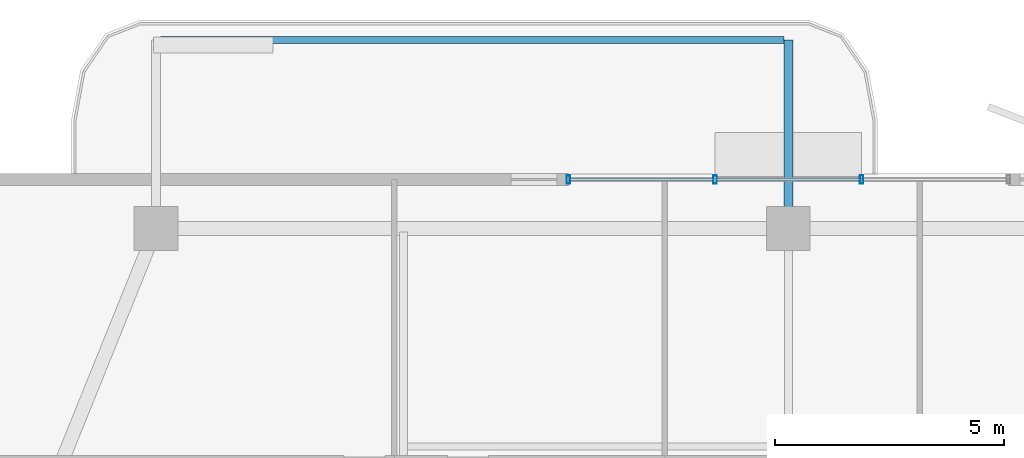
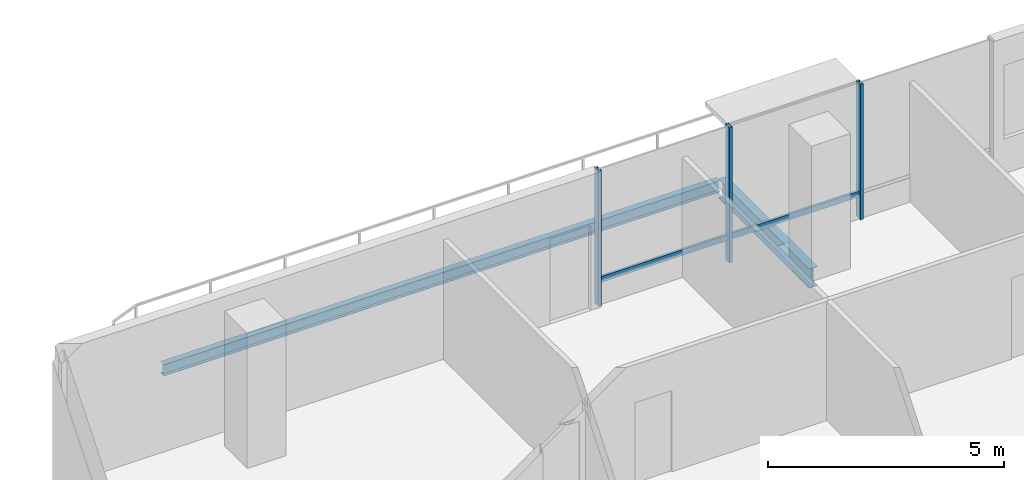
# One storey, part 13 of 25: 5 members, 2 beams, 1 element without a shape of its own.
"""IFC4 building model written with IfcOpenShell, lengths in metres."""

from ifc_helpers import new_model, si_unit, direction, frame, origin, origin_2d, place, context, subcontext, project, spatial, hollow_rectangle, i_section, extrude, material, layer, layer_set, material_profile, profile_set, type_object, element, aggregate, save


model = new_model("IFC4")

# Units and contexts
model_context = context("Model", 3, precision=1e-05, world=origin(), true_north=direction((0.0, 1.0)))
body_context = subcontext(model_context, "Body", "Model", "MODEL_VIEW")
ifc_project = project(units=[si_unit("LENGTHUNIT", "METRE"), si_unit("AREAUNIT", "SQUARE_METRE"), si_unit("VOLUMEUNIT", "CUBIC_METRE"), si_unit("PLANEANGLEUNIT", "RADIAN"), si_unit("MASSUNIT", "GRAM", prefix="KILO")], contexts=[model_context])

# Site, building, storey
site_placement = place(None, origin())
site = spatial("IfcSite", under=ifc_project, at=site_placement, CompositionType="ELEMENT")
building_placement = place(site_placement, origin())
building = spatial("IfcBuilding", under=site, at=building_placement, Name="Belovzor Exchange Tower", CompositionType="ELEMENT")
storey_placement = place(building_placement, frame((0.0, 0.0, 269.10009765625)))
storey = spatial("IfcBuildingStorey", under=building, at=storey_placement, Name="L67", CompositionType="ELEMENT", Elevation=269.10009765625)

# Beams
ifc_material_1 = material(Name="Steel S355", Category="steel")
ifc_material_profile_1 = material_profile(ifc_material_1, i_section(OverallWidth=0.199951171875, OverallDepth=0.5, WebThickness=0.01025390625, FlangeThickness=0.01611328125, at=origin_2d()))
ifc_profile_set_1 = profile_set([ifc_material_profile_1], Name="Steel S355")
beam_type_1 = type_object("IfcBeamType", Name="Planted Balcony Cantilever Beam IPE 500", PredefinedType="BEAM", material=ifc_profile_set_1)
beam_1_placement = place(storey_placement, frame((28.800048828125, 52.760986328125, -0.5), z_axis=(0.0, 1.0, 0.0), x_axis=(-1.0, 0.0, 0.0)))
element("IfcBeam", 1, at=beam_1_placement, inside=storey, type_object=beam_type_1, Name="BC-500 Planted Balcony Cantilever Beam IPE 500", PredefinedType="BEAM", context=body_context, shape_type="SweptSolid", body=[
    extrude(i_section(OverallWidth=0.199951171875, OverallDepth=0.5, WebThickness=0.01025390625, FlangeThickness=0.01611328125, at=origin_2d()), origin(), (0.0, 0.0, 1.0), 3.85009765625),
])
ifc_material_2 = material(Name="Steel S355", Category="steel")
ifc_material_profile_2 = material_profile(ifc_material_2, i_section(OverallWidth=0.14990234375, OverallDepth=0.300048828125, WebThickness=0.007080078125, FlangeThickness=0.0107421875, at=origin_2d()))
ifc_profile_set_2 = profile_set([ifc_material_profile_2], Name="Steel S355")
beam_type_2 = type_object("IfcBeamType", Name="Planted Balcony Fascia Edge Beam IPE 300", PredefinedType="BEAM", material=ifc_profile_set_2)
beam_2_placement = place(storey_placement, frame((28.699951171875, 56.611083984375, -0.400146484375), z_axis=(-1.0, 0.0, 0.0), x_axis=(0.0, -1.0, 0.0)))
element("IfcBeam", 2, at=beam_2_placement, inside=storey, type_object=beam_type_2, Name="BC-300 Planted Balcony Fascia Edge Beam IPE 300", PredefinedType="BEAM", context=body_context, shape_type="SweptSolid", body=[
    extrude(i_section(OverallWidth=0.14990234375, OverallDepth=0.300048828125, WebThickness=0.007080078125, FlangeThickness=0.0107421875, at=origin_2d()), origin(), (0.0, 0.0, 1.0), 13.599853515625),
])

# Curtain wall, members
ifc_material_3 = material(Name="Anodised Aluminium Framing", Category="aluminium")
ifc_layer = layer(ifc_material_3, 0.179931640625)
ifc_layer_set = layer_set([ifc_layer], Name="Anodised Aluminium Framing")
curtain_wall_type = type_object("IfcCurtainWallType", Name="Recessed Loggia Low-Iron Triple-Glazed Curtain Wall", PredefinedType="NOTDEFINED", material=ifc_layer_set)
curtain_wall_placement = place(storey_placement, origin())
curtain_wall = element("IfcCurtainWall", 3, at=curtain_wall_placement, inside=storey, type_object=curtain_wall_type, Name="CW3 Recessed Loggia Low-Iron Triple-Glazed Curtain Wall L67", PredefinedType="NOTDEFINED")
ifc_material_4 = material(Name="Steel S355", Category="steel")
ifc_material_profile_3 = material_profile(ifc_material_4, hollow_rectangle(XDim=0.074951171875, YDim=0.179931640625, WallThickness=0.0048828125, at=origin_2d()))
ifc_profile_set_3 = profile_set([ifc_material_profile_3], Name="Steel S355")
member_type_1 = type_object("IfcMemberType", Name="Thermally Broken Curtain Wall Mullion 180x75", PredefinedType="MULLION", material=ifc_profile_set_3)
member_1_placement = place(storey_placement, frame((24.0, 53.570068359375, 0.0), z_axis=(0.0, 0.0, 1.0), x_axis=(1.0, 0.0, 0.0)))
member_1 = element("IfcMember", 4, at=member_1_placement, type_object=member_type_1, Name="CW-M180 Curtain Wall Mullion 1", PredefinedType="MULLION", context=body_context, shape_type="SweptSolid", body=[
    extrude(hollow_rectangle(XDim=0.074951171875, YDim=0.179931640625, WallThickness=0.0048828125, at=origin_2d()), origin(), (0.0, 0.0, 1.0), 3.5),
])
member_2_placement = place(storey_placement, frame((27.199951171875, 53.570068359375, 0.0), z_axis=(0.0, 0.0, 1.0), x_axis=(1.0, 0.0, 0.0)))
member_2 = element("IfcMember", 5, at=member_2_placement, type_object=member_type_1, Name="CW-M180 Curtain Wall Mullion 2", PredefinedType="MULLION", context=body_context, shape_type="SweptSolid", body=[
    extrude(hollow_rectangle(XDim=0.074951171875, YDim=0.179931640625, WallThickness=0.0048828125, at=origin_2d()), origin(), (0.0, 0.0, 1.0), 3.5),
])
member_3_placement = place(storey_placement, frame((30.39990234375, 53.570068359375, 0.0), z_axis=(0.0, 0.0, 1.0), x_axis=(1.0, 0.0, 0.0)))
member_3 = element("IfcMember", 6, at=member_3_placement, type_object=member_type_1, Name="CW-M180 Curtain Wall Mullion 3", PredefinedType="MULLION", context=body_context, shape_type="SweptSolid", body=[
    extrude(hollow_rectangle(XDim=0.074951171875, YDim=0.179931640625, WallThickness=0.0048828125, at=origin_2d()), origin(), (0.0, 0.0, 1.0), 3.5),
])
ifc_material_5 = material(Name="Steel S355", Category="steel")
ifc_material_profile_4 = material_profile(ifc_material_5, hollow_rectangle(XDim=0.06005859375, YDim=0.14990234375, WallThickness=0.00390625, at=origin_2d()))
ifc_profile_set_4 = profile_set([ifc_material_profile_4], Name="Steel S355")
member_type_2 = type_object("IfcMemberType", Name="Thermally Broken Curtain Wall Transom 150x60", PredefinedType="USERDEFINED", material=ifc_profile_set_4)
member_4_placement = place(storey_placement, frame((24.008056640625, 53.570068359375, 0.6298828125), z_axis=(1.0, 0.0, 0.0), x_axis=(0.0, 1.0, 0.0)))
member_4 = element("IfcMember", 7, at=member_4_placement, type_object=member_type_2, Name="CW-T150 Curtain Wall Transom 1", ObjectType="TRANSOM", PredefinedType="USERDEFINED", context=body_context, shape_type="SweptSolid", body=[
    extrude(hollow_rectangle(XDim=0.06005859375, YDim=0.14990234375, WallThickness=0.00390625, at=origin_2d()), origin(), (0.0, 0.0, 1.0), 3.183837890625),
])
member_5_placement = place(storey_placement, frame((27.2080078125, 53.570068359375, 0.6298828125), z_axis=(1.0, 0.0, 0.0), x_axis=(0.0, 1.0, 0.0)))
member_5 = element("IfcMember", 8, at=member_5_placement, type_object=member_type_2, Name="CW-T150 Curtain Wall Transom 2", ObjectType="TRANSOM", PredefinedType="USERDEFINED", context=body_context, shape_type="SweptSolid", body=[
    extrude(hollow_rectangle(XDim=0.06005859375, YDim=0.14990234375, WallThickness=0.00390625, at=origin_2d()), origin(), (0.0, 0.0, 1.0), 3.18408203125),
])
aggregate(curtain_wall, [member_1, member_2, member_3, member_4, member_5])

save(model, "model.ifc")
